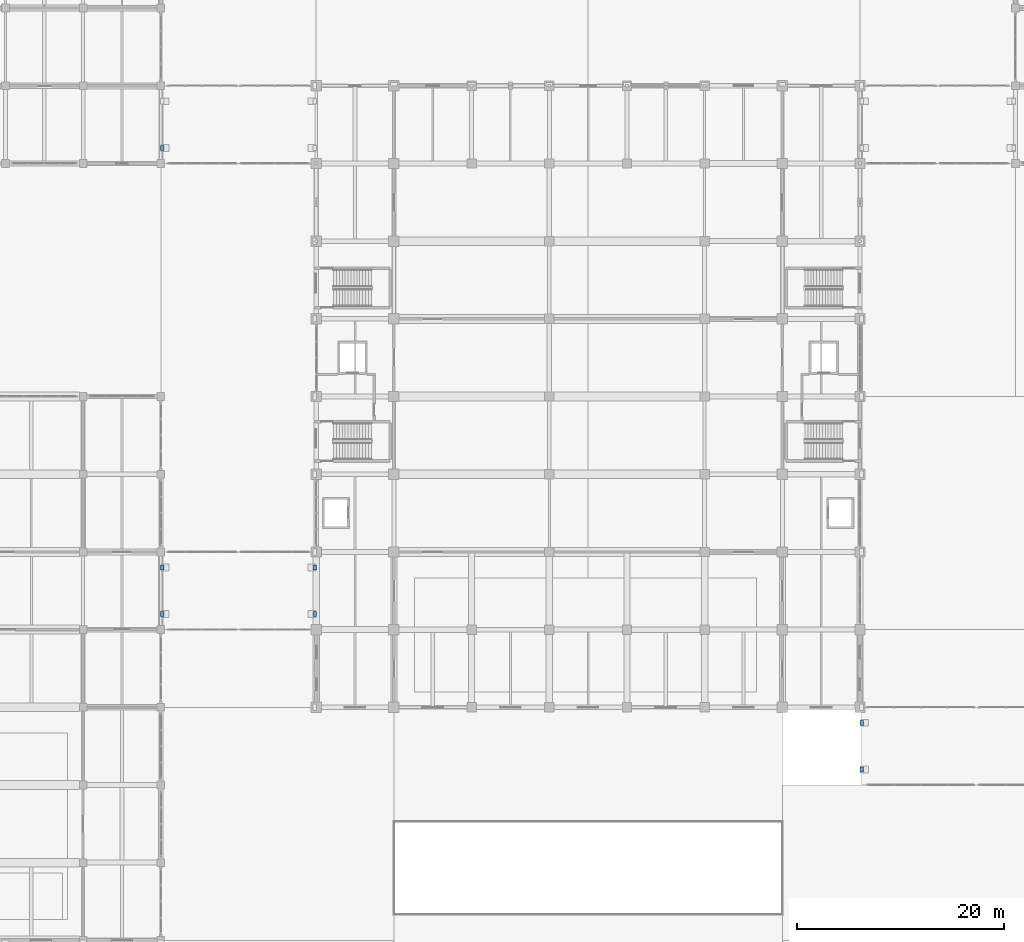
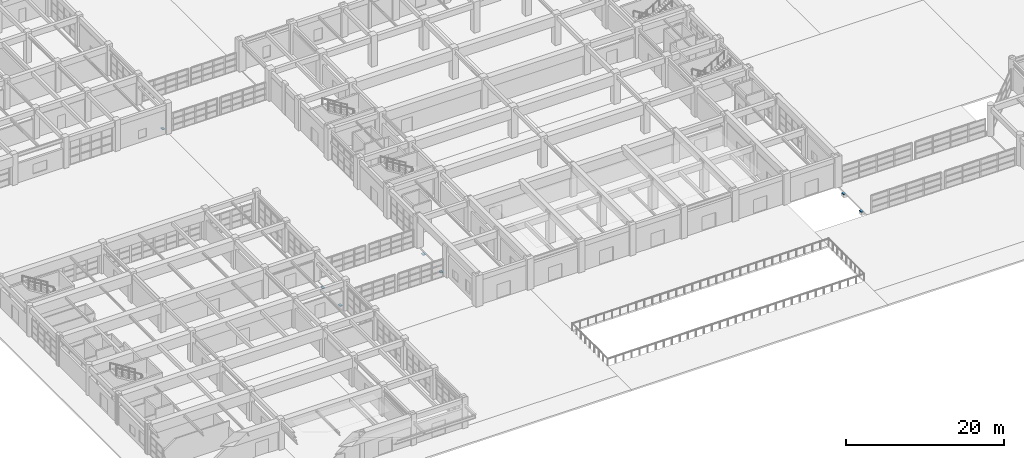
# One storey, part 99 of 122: 7 discrete accessories.
"""IFC4 building model written with IfcOpenShell, lengths in metres."""

import ifcopenshell
import ifcopenshell.guid

model = None  # the IFC model being written
_history = None  # IfcOwnerHistory: only IFC2X3 demands one
_inside = {}  # id of a spatial element -> (the spatial element, [elements in it])
_under = {}  # id of a project, library or spatial element -> (it, [spatial elements below it])
_declared = {}  # id of a project -> (the project, [libraries it declares])
_typed = {}  # id of a type object -> (the type object, [elements of that type])
_made_of = {}  # id of a material, layer set ... -> (it, [elements and type objects made of it])


def new_model(schema):
    """Start an empty IFC model of exactly this schema.

    Asked for "IFC4X3", IfcOpenShell would pick the latest addendum, in which some entities
    have other attributes; the version numbers below select the first issue.
    IFC2X3 requires an IfcOwnerHistory on every rooted entity: one is made here for all.
    """
    global model, _history
    if schema == "IFC4X3":
        model = ifcopenshell.file(schema_version=(4, 3, 0, 0))
    else:
        model = ifcopenshell.file(schema=schema)
    _inside.clear()
    _under.clear()
    _declared.clear()
    _typed.clear()
    _made_of.clear()
    _history = None
    if model.schema == "IFC2X3":
        org = make("IfcOrganization", Name="unknown")
        user = make(
            "IfcPersonAndOrganization",
            ThePerson=make("IfcPerson", FamilyName="unknown"),
            TheOrganization=org,
        )
        app = make(
            "IfcApplication",
            ApplicationDeveloper=org,
            Version="unknown",
            ApplicationFullName="unknown",
            ApplicationIdentifier="unknown",
        )
        _history = make(
            "IfcOwnerHistory",
            OwningUser=user,
            OwningApplication=app,
            ChangeAction="ADDED",
            CreationDate=0,
        )
    return model


def make(cls, **values):
    """One entity of the class cls with the attributes given. An attribute that is None is left unset."""
    return model.create_entity(
        cls, **{name: value for name, value in values.items() if value is not None}
    )


def rooted(cls, **values):
    """An entity with a GlobalId (a new one), such as an element, a storey or a relation."""
    return make(cls, GlobalId=ifcopenshell.guid.new(), OwnerHistory=_history, **values)


def si_unit(unit_type, name, prefix=None):
    """IfcSIUnit, for example si_unit("LENGTHUNIT", "METRE", prefix="MILLI")."""
    return make("IfcSIUnit", UnitType=unit_type, Prefix=prefix, Name=name)


def assignment(units):
    """IfcUnitAssignment: the units of a project."""
    return None if units is None else make("IfcUnitAssignment", Units=units)


def point(xyz):
    """IfcCartesianPoint."""
    return None if xyz is None else make("IfcCartesianPoint", Coordinates=xyz)


def direction(xyz):
    """IfcDirection."""
    return None if xyz is None else make("IfcDirection", DirectionRatios=xyz)


def frame(location, z_axis=None, x_axis=None):
    """IfcAxis2Placement3D, a coordinate frame: its origin and axes. An axis left out is left unset."""
    return make(
        "IfcAxis2Placement3D",
        Location=point(location),
        Axis=direction(z_axis),
        RefDirection=direction(x_axis),
    )


def frame_2d(location, x_axis=None):
    """IfcAxis2Placement2D, a coordinate frame in the plane: its origin and x axis."""
    return make(
        "IfcAxis2Placement2D", Location=point(location), RefDirection=direction(x_axis)
    )


def origin():
    """The frame at (0, 0, 0) with its axes left unset."""
    return frame((0.0, 0.0, 0.0))


def origin_2d():
    """The frame at (0, 0) in the plane with its x axis left unset."""
    return frame_2d((0.0, 0.0))


def place(relative_to, where):
    """IfcLocalPlacement: puts the frame where relative to a parent placement (None: the world)."""
    return make(
        "IfcLocalPlacement", PlacementRelTo=relative_to, RelativePlacement=where
    )


def context(
    kind, dimensions, precision=None, world=None, true_north=None, identifier=None
):
    """IfcGeometricRepresentationContext, for example the 3D "Model" context."""
    return make(
        "IfcGeometricRepresentationContext",
        ContextIdentifier=identifier,
        ContextType=kind,
        CoordinateSpaceDimension=dimensions,
        Precision=precision,
        WorldCoordinateSystem=world,
        TrueNorth=true_north,
    )


def subcontext(parent, identifier, kind, view, scale=None):
    """IfcGeometricRepresentationSubContext, for example "Body" below "Model"."""
    return make(
        "IfcGeometricRepresentationSubContext",
        ContextIdentifier=identifier,
        ContextType=kind,
        ParentContext=parent,
        TargetScale=scale,
        TargetView=view,
    )


def project(units=None, contexts=None):
    """IfcProject with its units and contexts."""
    return rooted(
        "IfcProject",
        Name="project",
        RepresentationContexts=contexts,
        UnitsInContext=assignment(units),
    )


def spatial(cls, under=None, at=None, **own):
    """A site, building, storey or space (cls), placed at a placement, below another one or the project."""
    s = rooted(cls, ObjectPlacement=at, **own)
    if under is not None:
        _under.setdefault(under.id(), (under, []))[1].append(s)
    return s


def profile(cls, at=None, kind="AREA", **sizes):
    """A parametric profile (cls). Its sizes go by their IFC names, for example OverallWidth=200.0."""
    return make(cls, ProfileType=kind, Position=at, **sizes)


def rectangle(**sizes):
    """IfcRectangleProfileDef."""
    return profile("IfcRectangleProfileDef", **sizes)


def extrude(swept, where, along, depth):
    """IfcExtrudedAreaSolid: the profile swept, set in the frame where, extruded along a direction by depth."""
    return make(
        "IfcExtrudedAreaSolid",
        SweptArea=swept,
        Position=where,
        ExtrudedDirection=direction(along),
        Depth=depth,
    )


def shape(context_of_items, identifier, shape_type, items):
    """IfcShapeRepresentation: the items that make up one representation, for example the "Body"."""
    return make(
        "IfcShapeRepresentation",
        ContextOfItems=context_of_items,
        RepresentationIdentifier=identifier,
        RepresentationType=shape_type,
        Items=items,
    )


def material(Name=None, Category=None):
    """IfcMaterial."""
    return make("IfcMaterial", Name=Name, Category=Category)


def made_of(thing, what):
    """Note that an element or type object is made of a material, layer set ...; save() writes the relation."""
    if what is not None:
        _made_of.setdefault(what.id(), (what, []))[1].append(thing)
    return thing


def type_object(cls, material=None, **own):
    """A type object (cls), such as IfcWallType, which elements share."""
    return made_of(rooted(cls, **own), material)


def element(
    cls,
    number,
    at=None,
    inside=None,
    cuts=None,
    type_object=None,
    material=None,
    context=None,
    identifier="Body",
    shape_type=None,
    held_by="IfcProductDefinitionShape",
    body=None,
    shapes=None,
    **own,
):
    """One element of the class cls, such as IfcWall. Its Tag is "e" and its number.

    at: its placement. inside: the storey or other place that contains it. cuts: it is an
    opening in that element (IfcRelVoidsElement). A single representation is given by context,
    identifier, shape_type and body (its items); several are given by shapes. held_by: the class
    of the entity that holds the representations. save() writes the other relations.
    """
    e = rooted(cls, Tag="e%d" % number, ObjectPlacement=at, **own)
    if body is not None:
        shapes = [shape(context, identifier, shape_type, body)]
    if shapes is not None:
        e.Representation = make(held_by, Representations=shapes)
    if inside is not None:
        _inside.setdefault(inside.id(), (inside, []))[1].append(e)
    if cuts is not None:
        rooted(
            "IfcRelVoidsElement", RelatingBuildingElement=cuts, RelatedOpeningElement=e
        )
    if type_object is not None:
        _typed.setdefault(type_object.id(), (type_object, []))[1].append(e)
    return made_of(e, material)


def aggregate(whole, parts):
    """IfcRelAggregates: a whole, such as a stair, and the parts it consists of."""
    return rooted("IfcRelAggregates", RelatingObject=whole, RelatedObjects=parts)


def save(model, path):
    """Write the relations noted so far, then the file.

    IfcRelAggregates (storeys below a building ...), IfcRelContainedInSpatialStructure (elements
    in a storey), IfcRelDefinesByType, IfcRelAssociatesMaterial and IfcRelDeclares: one each for
    every whole, place, type object, material and project.
    """
    for whole, parts in _under.values():
        aggregate(whole, parts)
    for where, things in _inside.values():
        rooted(
            "IfcRelContainedInSpatialStructure",
            RelatedElements=things,
            RelatingStructure=where,
        )
    for kind, things in _typed.values():
        rooted("IfcRelDefinesByType", RelatedObjects=things, RelatingType=kind)
    for what, things in _made_of.values():
        rooted("IfcRelAssociatesMaterial", RelatedObjects=things, RelatingMaterial=what)
    for by, libraries in _declared.values():
        rooted("IfcRelDeclares", RelatingContext=by, RelatedDefinitions=libraries)
    model.write(path)


model = new_model("IFC4")

# Units and contexts
model_context = context("Model", 3, precision=1e-05, world=origin(), true_north=direction((0.0, 1.0)))
body_context = subcontext(model_context, "Body", "Model", "MODEL_VIEW")
ifc_project = project(units=[si_unit("LENGTHUNIT", "METRE"), si_unit("AREAUNIT", "SQUARE_METRE"), si_unit("VOLUMEUNIT", "CUBIC_METRE"), si_unit("PLANEANGLEUNIT", "RADIAN"), si_unit("MASSUNIT", "GRAM", prefix="KILO")], contexts=[model_context])

# Site, building, storey
site_placement = place(None, origin())
site = spatial("IfcSite", under=ifc_project, at=site_placement, CompositionType="ELEMENT")
building_placement = place(site_placement, origin())
building = spatial("IfcBuilding", under=site, at=building_placement, Name="Qasida Concert Hall", CompositionType="ELEMENT")
storey_placement = place(building_placement, origin())
storey = spatial("IfcBuildingStorey", under=building, at=storey_placement, Name="L00", CompositionType="ELEMENT", Elevation=0.0)

# Discrete accessories
ifc_material = material(Name="Steel S355J2", Category="steel")
discrete_accessory_type = type_object("IfcDiscreteAccessoryType", Name="ACC-PTFE-SLIDE", PredefinedType="BRACKET", material=ifc_material)
for number, where, z_axis, x_axis, name in (
    (1, (37.64990234375, 31.5, -0.400146484375), (0.0, 0.0, 1.0), (1.0, 0.0, 0.0), "Seismic sliding bearing SB-PTFE-001"),
    (2, (37.64990234375, 36.0, -0.400146484375), (0.0, 0.0, 1.0), (1.0, 0.0, 0.0), "Seismic sliding bearing SB-PTFE-002"),
    (3, (52.35009765625, 31.5, -0.400146484375), (0.0, 0.0, 1.0), (1.0, 0.0, 0.0), "Seismic sliding bearing SB-PTFE-003"),
    (4, (52.35009765625, 36.0, -0.400146484375), (0.0, 0.0, 1.0), (1.0, 0.0, 0.0), "Seismic sliding bearing SB-PTFE-004"),
    (5, (37.64990234375, 76.5, -0.400146484375), (0.0, 0.0, 1.0), (1.0, 0.0, 0.0), "Seismic sliding bearing SB-PTFE-017"),
    (6, (105.14990234375, 16.5, -0.400146484375), (0.0, 0.0, 1.0), (1.0, 0.0, 0.0), "Seismic sliding bearing SB-PTFE-037"),
    (7, (105.14990234375, 21.0, -0.400146484375), (0.0, 0.0, 1.0), (1.0, 0.0, 0.0), "Seismic sliding bearing SB-PTFE-038"),
):
    element("IfcDiscreteAccessory", number, at=place(storey_placement, frame(where, z_axis=z_axis, x_axis=x_axis)), inside=storey, type_object=discrete_accessory_type, Name=name, PredefinedType="BRACKET", context=body_context, shape_type="SweptSolid", body=[
        extrude(rectangle(XDim=0.35009765625, YDim=0.5, at=origin_2d()), origin(), (0.0, 0.0, 1.0), 0.1201171875),
    ])

save(model, "model.ifc")
